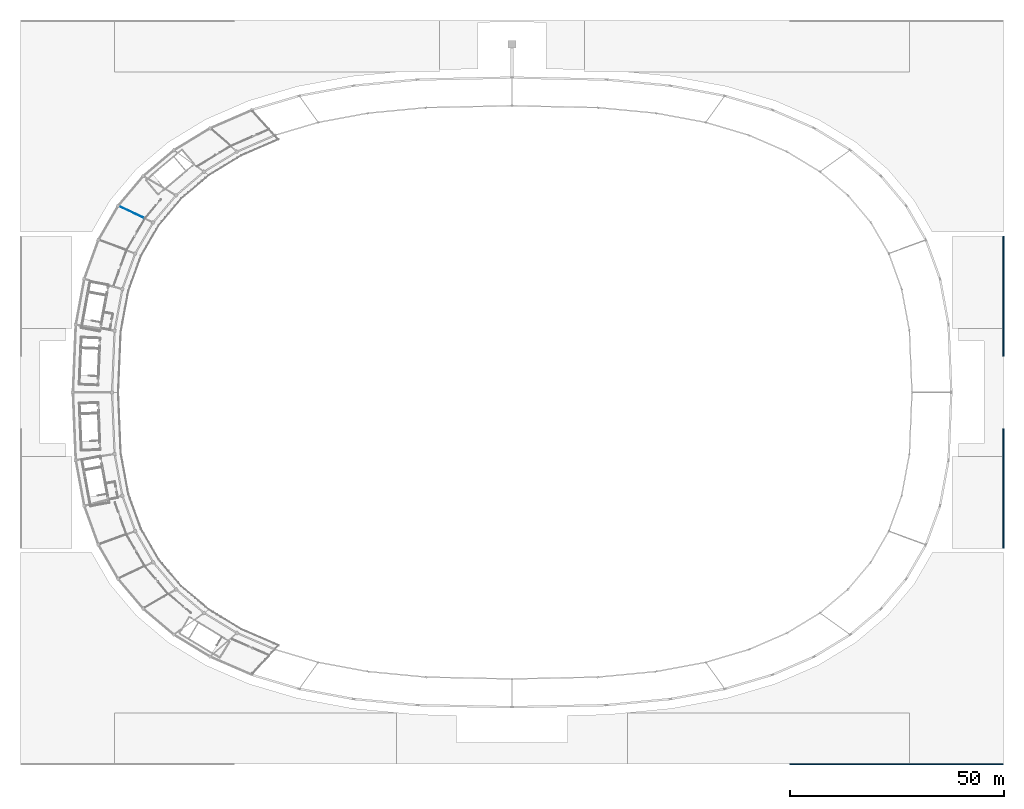
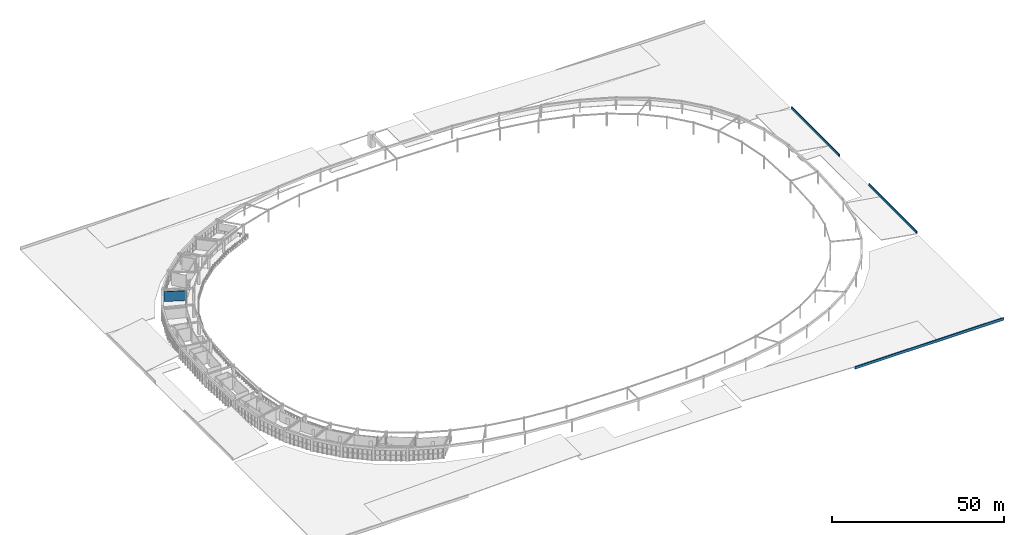
# One storey, part 39 of 45: 4 walls.
"""IFC4 building model written with IfcOpenShell, lengths in metres."""

from ifc_helpers import new_model, si_unit, direction, frame, frame_2d, origin, place, context, subcontext, project, spatial, rectangle, extrude, material, layer, layer_set, type_object, element, save


model = new_model("IFC4")

# Units and contexts
model_context = context("Model", 3, precision=1e-05, world=origin(), true_north=direction((0.0, 1.0)))
body_context = subcontext(model_context, "Body", "Model", "MODEL_VIEW")
ifc_project = project(units=[si_unit("LENGTHUNIT", "METRE"), si_unit("AREAUNIT", "SQUARE_METRE"), si_unit("VOLUMEUNIT", "CUBIC_METRE"), si_unit("PLANEANGLEUNIT", "RADIAN"), si_unit("MASSUNIT", "GRAM", prefix="KILO")], contexts=[model_context])

# Site, building, storey
site_placement = place(None, origin())
site = spatial("IfcSite", under=ifc_project, at=site_placement, CompositionType="ELEMENT")
building_placement = place(site_placement, origin())
building = spatial("IfcBuilding", under=site, at=building_placement, Name="Mphavela Belvedere Stadium", CompositionType="ELEMENT")
storey_placement = place(building_placement, frame((0.0, 0.0, 24.0)))
storey = spatial("IfcBuildingStorey", under=building, at=storey_placement, Name="L05", CompositionType="ELEMENT", Elevation=24.0)

# Walls
ifc_material_1 = material(Name="Honed ashlar limestone coping wall", Category="masonry")
ifc_layer_1 = layer(ifc_material_1, 0.280029296875)
ifc_layer_set_1 = layer_set([ifc_layer_1], Name="Honed ashlar limestone coping wall")
wall_type_1 = type_object("IfcWallType", Name="WAL-PARAPET-280", PredefinedType="PARAPET", material=ifc_layer_set_1)
wall_1_placement = place(storey_placement, frame((180.0, 0.0, 0.239990234375), z_axis=(0.0, 0.0, 1.0), x_axis=(1.0, 0.0, 0.0)))
element("IfcWall", 1, at=wall_1_placement, inside=storey, type_object=wall_type_1, Name="South Axial Triumphal Peristyle Portico classical eaves parapet B", PredefinedType="PARAPET", context=body_context, shape_type="SweptSolid", body=[
    extrude(rectangle(XDim=50.0, YDim=0.280029296875, at=frame_2d((25.0, 0.0))), origin(), (0.0, 0.0, 1.0), 0.89990234375),
])
for number, where, z_axis, x_axis, name in (
    (2, (230.0, 50.5, 0.239990234375), (0.0, 0.0, 1.0), (0.0, 1.0, 0.0), "East Planted Eaves Peristyle Colonnade classical eaves parapet A"),
    (3, (230.0, 95.5, 0.239990234375), (0.0, 0.0, 1.0), (0.0, 1.0, 0.0), "East Planted Eaves Peristyle Colonnade classical eaves parapet B"),
):
    element("IfcWall", number, at=place(storey_placement, frame(where, z_axis=z_axis, x_axis=x_axis)), inside=storey, type_object=wall_type_1, Name=name, PredefinedType="PARAPET", context=body_context, shape_type="SweptSolid", body=[
        extrude(rectangle(XDim=28.0, YDim=0.280029296875, at=frame_2d((14.0, 0.0))), origin(), (0.0, 0.0, 1.0), 0.89990234375),
    ])
ifc_material_2 = material(Name="Acoustic gypsum stud partition assembly")
ifc_layer_2 = layer(ifc_material_2, 0.14990234375)
ifc_layer_set_2 = layer_set([ifc_layer_2], Name="Acoustic gypsum stud partition assembly")
wall_type_2 = type_object("IfcWallType", Name="WAL-PART-150", PredefinedType="PARTITIONING", material=ifc_layer_set_2)
wall_2_placement = place(storey_placement, frame((29.099365234375, 127.703857421875, 0.0), z_axis=(0.0, 0.0, 1.0), x_axis=(-0.903860982102, 0.427826279036, 0.0)))
element("IfcWall", 4, at=wall_2_placement, inside=storey, type_object=wall_type_2, Name="Room divider partition L05-0636", PredefinedType="PARTITIONING", context=body_context, shape_type="SweptSolid", body=[
    extrude(rectangle(XDim=6.49755859375, YDim=0.14990234375, at=frame_2d((3.248779296875, 0.0))), origin(), (0.0, 0.0, 1.0), 3.550048828125),
])

save(model, "model.ifc")
